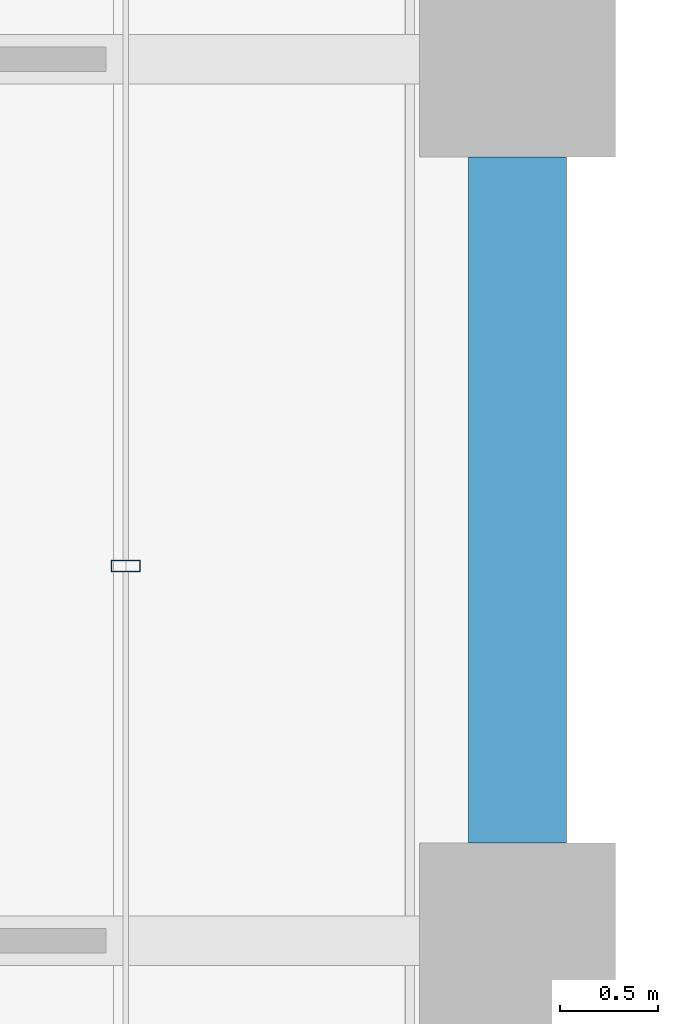
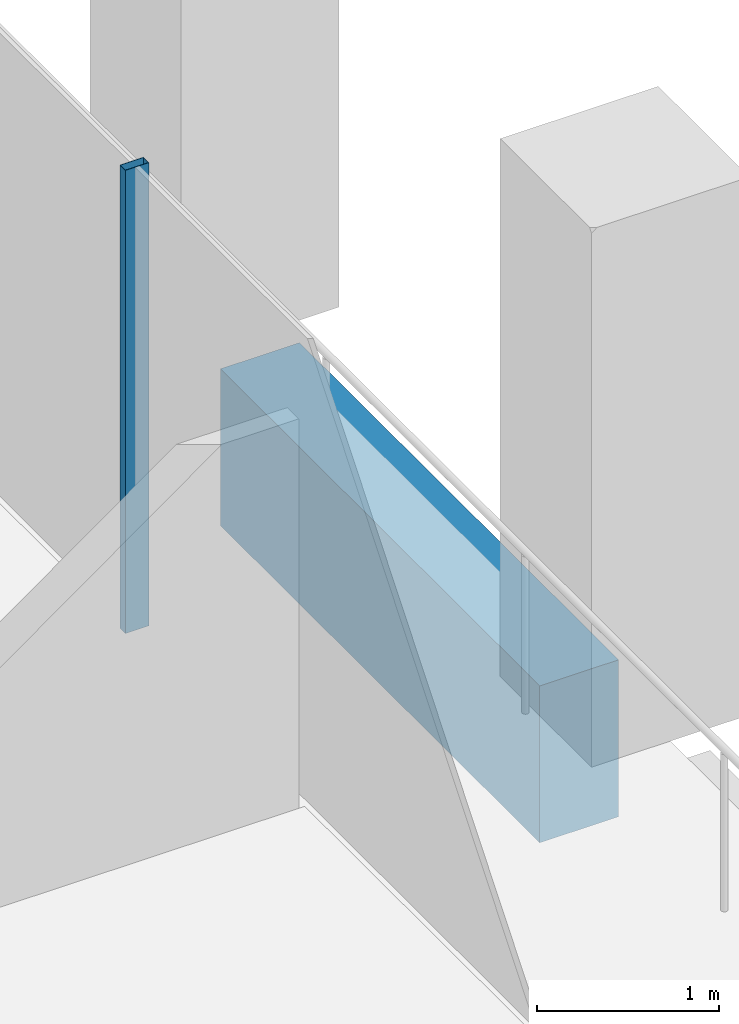
# One storey, part 17 of 46: 1 beam, 1 member, 1 element without a shape of its own.
"""IFC4 building model written with IfcOpenShell, lengths in metres."""

from ifc_helpers import new_model, si_unit, direction, frame, origin, origin_2d, place, context, subcontext, project, spatial, rectangle, hollow_rectangle, extrude, material, material_profile, profile_set, type_object, element, aggregate, save


model = new_model("IFC4")

# Units and contexts
model_context = context("Model", 3, precision=1e-05, world=origin(), true_north=direction((0.0, 1.0)))
body_context = subcontext(model_context, "Body", "Model", "MODEL_VIEW")
ifc_project = project(units=[si_unit("LENGTHUNIT", "METRE"), si_unit("AREAUNIT", "SQUARE_METRE"), si_unit("VOLUMEUNIT", "CUBIC_METRE"), si_unit("PLANEANGLEUNIT", "RADIAN"), si_unit("MASSUNIT", "GRAM", prefix="KILO")], contexts=[model_context])

# Site, building, storey
site_placement = place(None, origin())
site = spatial("IfcSite", under=ifc_project, at=site_placement, CompositionType="ELEMENT")
building_placement = place(site_placement, origin())
building = spatial("IfcBuilding", under=site, at=building_placement, Name="Altepetl Exchange Towers", CompositionType="ELEMENT")
storey_placement = place(building_placement, frame((0.0, 0.0, 135.199951171875)))
storey = spatial("IfcBuildingStorey", under=building, at=storey_placement, Name="L33", CompositionType="ELEMENT", Elevation=135.199951171875)

# Curtain wall, member
ifc_material_1 = material(Name="Aluminium 6063-T6 glazing", Category="aluminium")
curtain_wall_type = type_object("IfcCurtainWallType", Name="Loggia glazing system", PredefinedType="NOTDEFINED", material=ifc_material_1)
curtain_wall_placement = place(storey_placement, origin())
curtain_wall = element("IfcCurtainWall", 1, at=curtain_wall_placement, inside=storey, type_object=curtain_wall_type, Name="CW1 run", PredefinedType="NOTDEFINED")
ifc_material_2 = material(Name="Aluminium 6063-T6", Category="aluminium")
ifc_material_profile_1 = material_profile(ifc_material_2, hollow_rectangle(XDim=0.06005859375, YDim=0.14990234375, WallThickness=0.0029296875, at=origin_2d()), Name="Mullion 60x150 aluminium")
ifc_profile_set_1 = profile_set([ifc_material_profile_1], Name="Aluminium 6063-T6")
member_type = type_object("IfcMemberType", Name="Mullion 60x150 aluminium", PredefinedType="MULLION", material=ifc_profile_set_1)
member_placement = place(storey_placement, frame((70.0, 46.9130859375, 0.0), z_axis=(0.0, 0.0, 1.0), x_axis=(0.0, 1.0, 0.0)))
member = element("IfcMember", 2, at=member_placement, type_object=member_type, Name="MU1 mullion", PredefinedType="MULLION", context=body_context, shape_type="SweptSolid", body=[
    extrude(hollow_rectangle(XDim=0.06005859375, YDim=0.14990234375, WallThickness=0.0029296875, at=origin_2d()), origin(), (0.0, 0.0, 1.0), 3.10009765625),
])
aggregate(curtain_wall, [member])

# Beam
ifc_material_3 = material(Name="Concrete C50/60 precast with cantera amarilla facing", Category="concrete")
ifc_material_profile_2 = material_profile(ifc_material_3, rectangle(XDim=0.5, YDim=1.050048828125, at=origin_2d()), Name="500 x 1050")
ifc_profile_set_2 = profile_set([ifc_material_profile_2], Name="Concrete C50/60 precast with cantera amarilla facing")
beam_type = type_object("IfcBeamType", Name="Spandrel beam 500x1050 cantera amarilla", PredefinedType="SPANDREL", material=ifc_profile_set_2)
beam_placement = place(storey_placement, frame((72.0, 45.5, -0.675048828125), z_axis=(0.0, 1.0, 0.0), x_axis=(-1.0, 0.0, 0.0)))
element("IfcBeam", 3, at=beam_placement, inside=storey, type_object=beam_type, Name="sp:A:L33:015", PredefinedType="SPANDREL", context=body_context, shape_type="SweptSolid", body=[
    extrude(rectangle(XDim=0.5, YDim=1.050048828125, at=origin_2d()), origin(), (0.0, 0.0, 1.0), 3.5),
])

save(model, "model.ifc")
